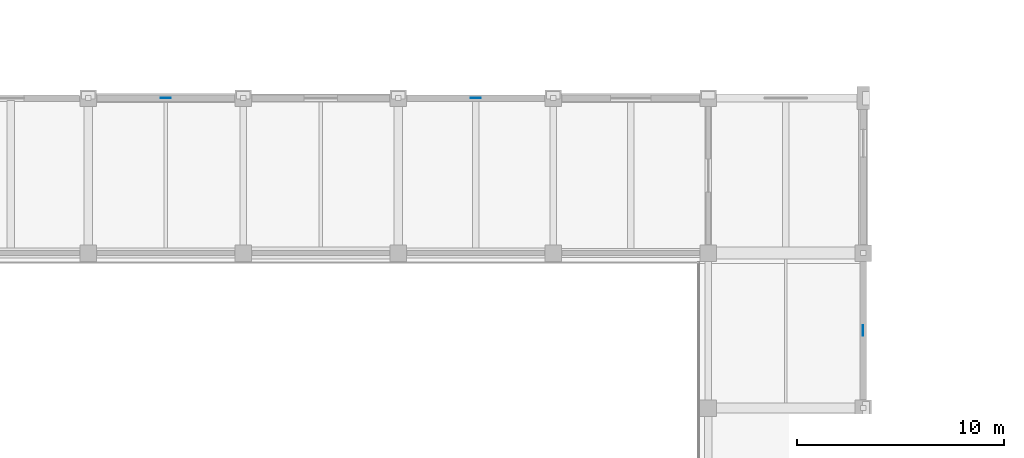
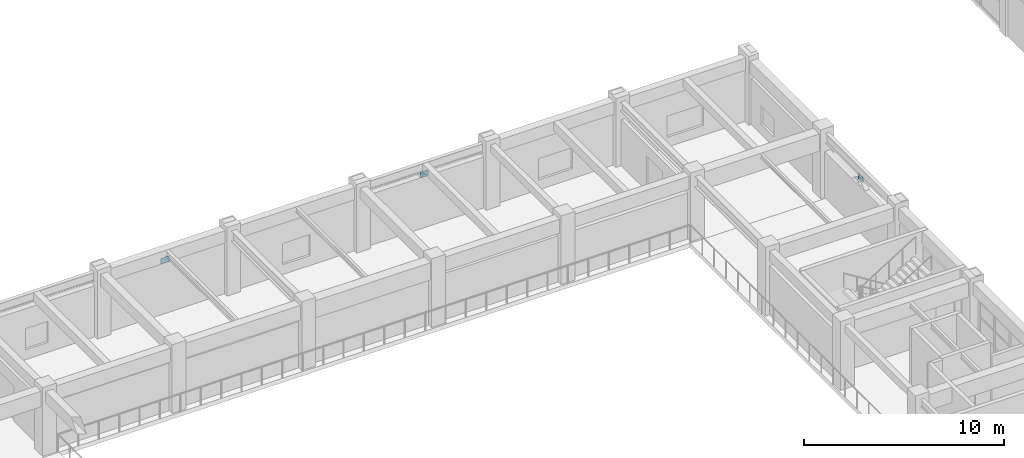
# One storey, part 90 of 124: 3 plates.
"""IFC4 building model written with IfcOpenShell, lengths in metres."""

from ifc_helpers import new_model, si_unit, direction, frame, origin, origin_2d, place, context, subcontext, project, spatial, rectangle, extrude, material, layer, layer_set, type_object, element, save


model = new_model("IFC4")

# Units and contexts
model_context = context("Model", 3, precision=1e-05, world=origin(), true_north=direction((0.0, 1.0)))
body_context = subcontext(model_context, "Body", "Model", "MODEL_VIEW")
ifc_project = project(units=[si_unit("LENGTHUNIT", "METRE"), si_unit("AREAUNIT", "SQUARE_METRE"), si_unit("VOLUMEUNIT", "CUBIC_METRE"), si_unit("PLANEANGLEUNIT", "RADIAN"), si_unit("MASSUNIT", "GRAM", prefix="KILO")], contexts=[model_context])

# Site, building, storey
site_placement = place(None, origin())
site = spatial("IfcSite", under=ifc_project, at=site_placement, CompositionType="ELEMENT")
building_placement = place(site_placement, origin())
building = spatial("IfcBuilding", under=site, at=building_placement, Name="Qasida Concert Hall", CompositionType="ELEMENT")
storey_placement = place(building_placement, frame((0.0, 0.0, 9.0)))
storey = spatial("IfcBuildingStorey", under=building, at=storey_placement, Name="L02", CompositionType="ELEMENT", Elevation=9.0)

# Plates
ifc_material = material(Name="Steel S355J2", Category="steel")
ifc_layer = layer(ifc_material, 0.02197265625, Name="Steel S355J2")
ifc_layer_set = layer_set([ifc_layer], Name="Steel S355J2")
plate_type = type_object("IfcPlateType", Name="PLT-PL-EC5", PredefinedType="SHEET", material=ifc_layer_set)
for number, where, z_axis, x_axis, name in (
    (1, (105.0, 71.25, 3.0), (0.0, 0.0, 1.0), (0.0, 1.0, 0.0), "Chevron apex plate CBF-0079"),
    (2, (71.25, 82.5, 2.97998046875), (0.0, 0.0, 1.0), (1.0, 0.0, 0.0), "Chevron apex plate CBF-0085"),
    (3, (86.25, 82.5, 3.0), (0.0, 0.0, 1.0), (1.0, 0.0, 0.0), "Chevron apex plate CBF-0091"),
):
    element("IfcPlate", number, at=place(storey_placement, frame(where, z_axis=z_axis, x_axis=x_axis)), inside=storey, type_object=plate_type, Name=name, PredefinedType="SHEET", context=body_context, shape_type="SweptSolid", body=[
        extrude(rectangle(XDim=0.5, YDim=0.02197265625, at=origin_2d()), origin(), (0.0, 0.0, 1.0), 0.340087890625),
    ])

save(model, "model.ifc")
